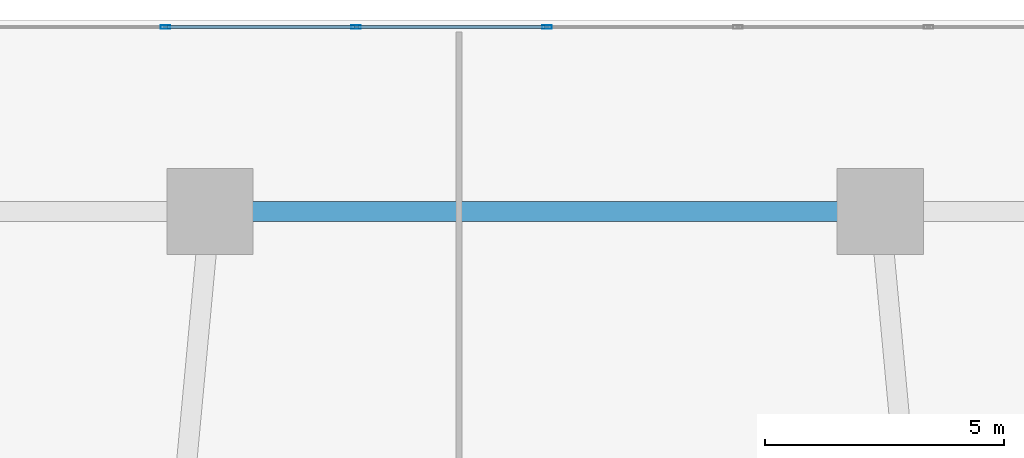
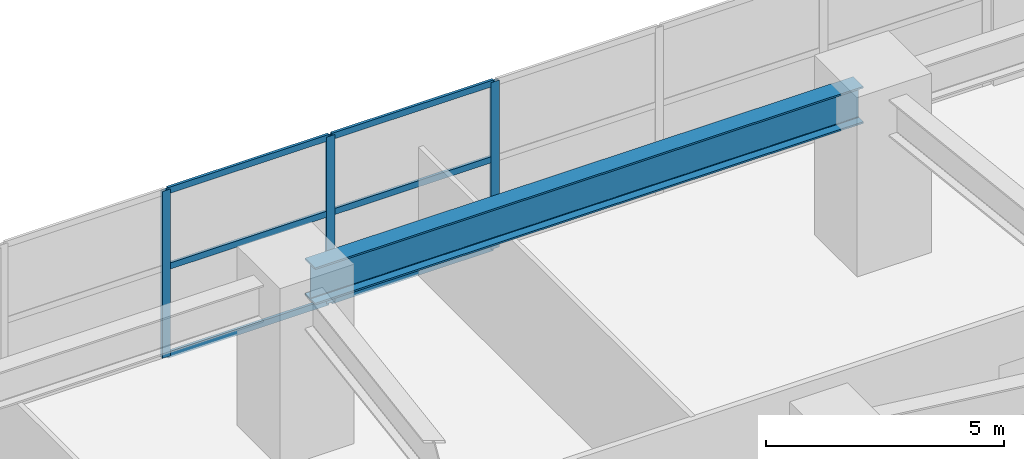
# One storey, part 7 of 20: 9 members, 1 beam, 1 element without a shape of its own.
"""IFC4 building model written with IfcOpenShell, lengths in metres."""

from ifc_helpers import new_model, si_unit, direction, frame, origin, origin_2d, place, context, subcontext, project, spatial, hollow_rectangle, i_section, extrude, material, layer, layer_set, material_profile, profile_set, type_object, element, aggregate, save


model = new_model("IFC4")

# Units and contexts
model_context = context("Model", 3, precision=1e-05, world=origin(), true_north=direction((0.0, 1.0)))
body_context = subcontext(model_context, "Body", "Model", "MODEL_VIEW")
ifc_project = project(units=[si_unit("LENGTHUNIT", "METRE"), si_unit("AREAUNIT", "SQUARE_METRE"), si_unit("VOLUMEUNIT", "CUBIC_METRE"), si_unit("PLANEANGLEUNIT", "RADIAN"), si_unit("MASSUNIT", "GRAM", prefix="KILO")], contexts=[model_context])

# Site, building, storey
site_placement = place(None, origin())
site = spatial("IfcSite", under=ifc_project, at=site_placement, CompositionType="ELEMENT")
building_placement = place(site_placement, origin())
building = spatial("IfcBuilding", under=site, at=building_placement, Name="Solvane Sanctuary Tower", CompositionType="ELEMENT")
storey_placement = place(building_placement, frame((0.0, 0.0, 18.39990234375)))
storey = spatial("IfcBuildingStorey", under=building, at=storey_placement, Name="L05", CompositionType="ELEMENT", Elevation=18.39990234375)

# Beam
ifc_material_1 = material(Name="Steel ASTM A913 Grade 65", Category="steel")
ifc_material_profile_1 = material_profile(ifc_material_1, i_section(OverallWidth=0.423095703125, OverallDepth=0.947998046875, WebThickness=0.02392578125, FlangeThickness=0.042724609375, FilletRadius=0.02392578125, at=origin_2d()), Name="W36X302")
ifc_profile_set_1 = profile_set([ifc_material_profile_1], Name="Steel ASTM A913 Grade 65")
beam_type = type_object("IfcBeamType", Name="Beam B-POD-GIRD W36X302", PredefinedType="BEAM", material=ifc_profile_set_1)
beam_placement = place(storey_placement, frame((38.64990234375, 42.0, 3.80419921875), z_axis=(-1.0, 0.0, 0.0), x_axis=(0.0, -1.0, 0.0)))
element("IfcBeam", 1, at=beam_placement, inside=storey, type_object=beam_type, Name="L05 Podium Primary Girder PG6", PredefinedType="BEAM", context=body_context, shape_type="SweptSolid", body=[
    extrude(i_section(OverallWidth=0.423095703125, OverallDepth=0.947998046875, WebThickness=0.02392578125, FlangeThickness=0.042724609375, FilletRadius=0.02392578125, at=origin_2d()), origin(), (0.0, 0.0, 1.0), 13.2998046875),
])

# Curtain wall, members
ifc_material_2 = material(Name="Anodised Aluminium 6063-T6", Category="aluminium")
ifc_layer = layer(ifc_material_2, 0.159912109375, Name="Anodised Aluminium 6063-T6")
ifc_layer_set = layer_set([ifc_layer], Name="Anodised Aluminium 6063-T6")
curtain_wall_type = type_object("IfcCurtainWallType", Name="Curtain Wall CW-POD", PredefinedType="NOTDEFINED", material=ifc_layer_set)
curtain_wall_placement = place(storey_placement, origin())
curtain_wall = element("IfcCurtainWall", 2, at=curtain_wall_placement, inside=storey, type_object=curtain_wall_type, Name="L05 Sanctuary Curtain Wall N2", PredefinedType="NOTDEFINED")
ifc_material_profile_2 = material_profile(ifc_material_2, hollow_rectangle(XDim=0.074951171875, YDim=0.199951171875, WallThickness=0.00390625, at=origin_2d()), Name="ALU200X75X4")
ifc_profile_set_2 = profile_set([ifc_material_profile_2], Name="Anodised Aluminium 6063-T6")
member_type_1 = type_object("IfcMemberType", Name="Member M-CW-MUL-1 ALU200X75X4", PredefinedType="MULLION", material=ifc_profile_set_2)
member_1_placement = place(storey_placement, frame((32.0400390625, 45.85009765625, 0.0), z_axis=(0.0, 0.0, 1.0), x_axis=(0.0, -1.0, 0.0)))
member_1 = element("IfcMember", 3, at=member_1_placement, type_object=member_type_1, Name="CW-POD mullion 4", PredefinedType="MULLION", context=body_context, shape_type="SweptSolid", body=[
    extrude(hollow_rectangle(XDim=0.074951171875, YDim=0.199951171875, WallThickness=0.00390625, at=origin_2d()), origin(), (0.0, 0.0, 1.0), 4.280029296875),
])
member_2_placement = place(storey_placement, frame((28.05322265625, 45.85009765625, 0.0), z_axis=(0.0, 0.0, 1.0), x_axis=(0.0, -1.0, 0.0)))
member_2 = element("IfcMember", 4, at=member_2_placement, type_object=member_type_1, Name="CW-POD mullion 5", PredefinedType="MULLION", context=body_context, shape_type="SweptSolid", body=[
    extrude(hollow_rectangle(XDim=0.074951171875, YDim=0.199951171875, WallThickness=0.00390625, at=origin_2d()), origin(), (0.0, 0.0, 1.0), 4.280029296875),
])
member_3_placement = place(storey_placement, frame((24.066650390625, 45.85009765625, 0.0), z_axis=(0.0, 0.0, 1.0), x_axis=(0.0, -1.0, 0.0)))
member_3 = element("IfcMember", 5, at=member_3_placement, type_object=member_type_1, Name="CW-POD mullion 6", PredefinedType="MULLION", context=body_context, shape_type="SweptSolid", body=[
    extrude(hollow_rectangle(XDim=0.074951171875, YDim=0.199951171875, WallThickness=0.00390625, at=origin_2d()), origin(), (0.0, 0.0, 1.0), 4.280029296875),
])
ifc_material_profile_3 = material_profile(ifc_material_2, hollow_rectangle(XDim=0.06494140625, YDim=0.159912109375, WallThickness=0.00341796875, at=origin_2d()), Name="ALU160X65X3.5")
ifc_profile_set_3 = profile_set([ifc_material_profile_3], Name="Anodised Aluminium 6063-T6")
member_type_2 = type_object("IfcMemberType", Name="Member M-CW-TRN-1 ALU160X65X3.5", PredefinedType="USERDEFINED", material=ifc_profile_set_3)
member_4_placement = place(storey_placement, frame((32.00244140625, 45.85009765625, 0.03271484375), z_axis=(-1.0, 0.0, 0.0), x_axis=(0.0, -1.0, 0.0)))
member_4 = element("IfcMember", 6, at=member_4_placement, type_object=member_type_2, Name="CW-POD transom 4.1", ObjectType="TRANSOM", PredefinedType="USERDEFINED", context=body_context, shape_type="SweptSolid", body=[
    extrude(hollow_rectangle(XDim=0.06494140625, YDim=0.159912109375, WallThickness=0.00341796875, at=origin_2d()), origin(), (0.0, 0.0, 1.0), 3.91162109375),
])
member_5_placement = place(storey_placement, frame((32.00244140625, 45.85009765625, 2.300048828125), z_axis=(-1.0, 0.0, 0.0), x_axis=(0.0, -1.0, 0.0)))
member_5 = element("IfcMember", 7, at=member_5_placement, type_object=member_type_2, Name="CW-POD transom 4.2", ObjectType="TRANSOM", PredefinedType="USERDEFINED", context=body_context, shape_type="SweptSolid", body=[
    extrude(hollow_rectangle(XDim=0.06494140625, YDim=0.159912109375, WallThickness=0.00341796875, at=origin_2d()), origin(), (0.0, 0.0, 1.0), 3.91162109375),
])
member_6_placement = place(storey_placement, frame((32.00244140625, 45.85009765625, 4.24755859375), z_axis=(-1.0, 0.0, 0.0), x_axis=(0.0, -1.0, 0.0)))
member_6 = element("IfcMember", 8, at=member_6_placement, type_object=member_type_2, Name="CW-POD transom 4.3", ObjectType="TRANSOM", PredefinedType="USERDEFINED", context=body_context, shape_type="SweptSolid", body=[
    extrude(hollow_rectangle(XDim=0.06494140625, YDim=0.159912109375, WallThickness=0.00341796875, at=origin_2d()), origin(), (0.0, 0.0, 1.0), 3.91162109375),
])
member_7_placement = place(storey_placement, frame((28.015869140625, 45.85009765625, 0.03271484375), z_axis=(-1.0, 0.0, 0.0), x_axis=(0.0, -1.0, 0.0)))
member_7 = element("IfcMember", 9, at=member_7_placement, type_object=member_type_2, Name="CW-POD transom 5.1", ObjectType="TRANSOM", PredefinedType="USERDEFINED", context=body_context, shape_type="SweptSolid", body=[
    extrude(hollow_rectangle(XDim=0.06494140625, YDim=0.159912109375, WallThickness=0.00341796875, at=origin_2d()), origin(), (0.0, 0.0, 1.0), 3.91162109375),
])
member_8_placement = place(storey_placement, frame((28.015869140625, 45.85009765625, 2.300048828125), z_axis=(-1.0, 0.0, 0.0), x_axis=(0.0, -1.0, 0.0)))
member_8 = element("IfcMember", 10, at=member_8_placement, type_object=member_type_2, Name="CW-POD transom 5.2", ObjectType="TRANSOM", PredefinedType="USERDEFINED", context=body_context, shape_type="SweptSolid", body=[
    extrude(hollow_rectangle(XDim=0.06494140625, YDim=0.159912109375, WallThickness=0.00341796875, at=origin_2d()), origin(), (0.0, 0.0, 1.0), 3.91162109375),
])
member_9_placement = place(storey_placement, frame((28.015869140625, 45.85009765625, 4.24755859375), z_axis=(-1.0, 0.0, 0.0), x_axis=(0.0, -1.0, 0.0)))
member_9 = element("IfcMember", 11, at=member_9_placement, type_object=member_type_2, Name="CW-POD transom 5.3", ObjectType="TRANSOM", PredefinedType="USERDEFINED", context=body_context, shape_type="SweptSolid", body=[
    extrude(hollow_rectangle(XDim=0.06494140625, YDim=0.159912109375, WallThickness=0.00341796875, at=origin_2d()), origin(), (0.0, 0.0, 1.0), 3.91162109375),
])
aggregate(curtain_wall, [member_1, member_2, member_3, member_4, member_5, member_6, member_7, member_8, member_9])

save(model, "model.ifc")
